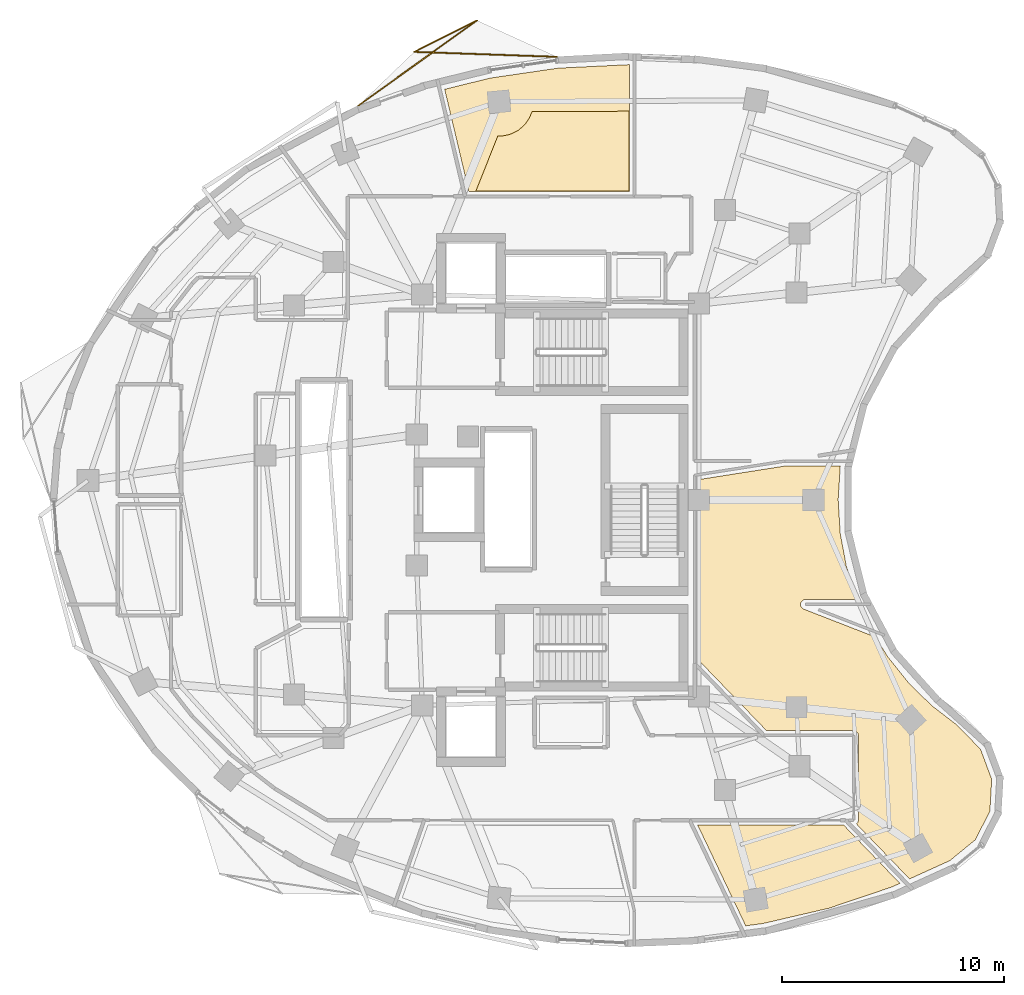
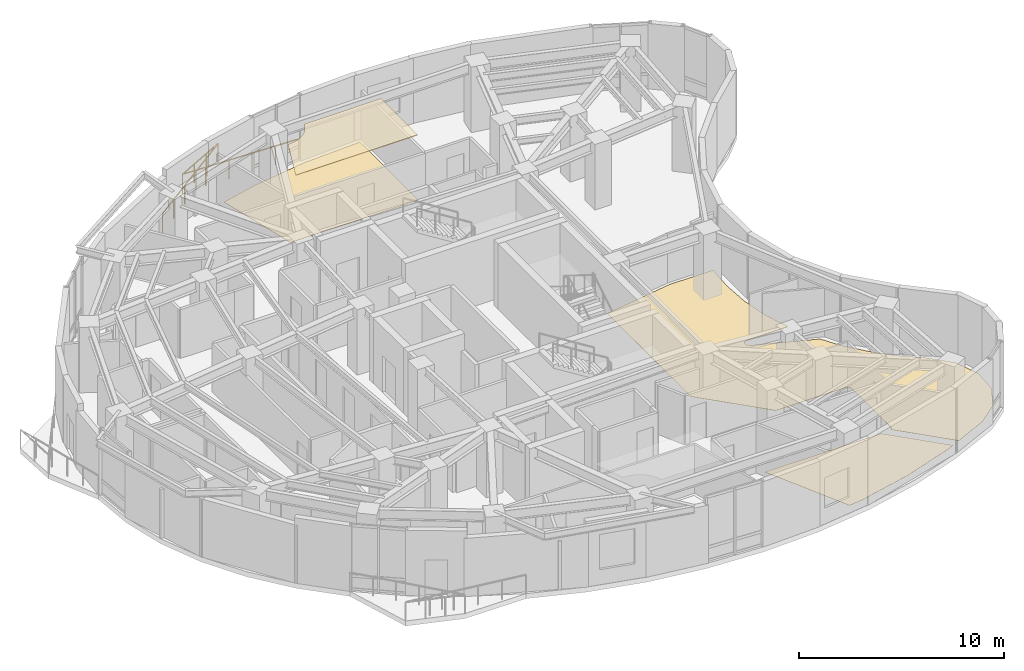
# One storey, part 13 of 13: 4 coverings, 1 railing.
"""IFC4 building model written with IfcOpenShell, lengths in metres."""

from ifc_helpers import new_model, si_unit, direction, frame, origin, origin_2d, place, context, subcontext, project, spatial, polyline, rectangle, outline, extrude, material, layer, layer_set, type_object, element, save


model = new_model("IFC4")

# Units and contexts
model_context = context("Model", 3, precision=1e-05, world=origin(), true_north=direction((0.0, 1.0)))
body_context = subcontext(model_context, "Body", "Model", "MODEL_VIEW")
ifc_project = project(units=[si_unit("LENGTHUNIT", "METRE"), si_unit("AREAUNIT", "SQUARE_METRE"), si_unit("VOLUMEUNIT", "CUBIC_METRE"), si_unit("PLANEANGLEUNIT", "RADIAN"), si_unit("MASSUNIT", "GRAM", prefix="KILO")], contexts=[model_context])

# Site, building, storey
site_placement = place(None, origin())
site = spatial("IfcSite", under=ifc_project, at=site_placement, CompositionType="ELEMENT")
building_placement = place(site_placement, origin())
building = spatial("IfcBuilding", under=site, at=building_placement, Name="Korentha Bioscience Tower", CompositionType="ELEMENT")
storey_placement = place(building_placement, frame((0.0, 0.0, 204.60009765625)))
storey = spatial("IfcBuildingStorey", under=building, at=storey_placement, Name="L47", CompositionType="ELEMENT", Elevation=204.60009765625)

# Railing
ifc_material_1 = material(Name="Laminated Tempered Safety Glass", Category="glass")
railing_type = type_object("IfcRailingType", Name="Laminated Glass Balcony Guardrail 1150", PredefinedType="BALUSTRADE", material=ifc_material_1)
railing_placement = place(storey_placement, frame((31.161865234375, 46.942626953125, 0.0)))
element("IfcRailing", 1, at=railing_placement, inside=storey, type_object=railing_type, Name="L47 Balcony Guardrail 01", PredefinedType="BALUSTRADE", context=body_context, shape_type="SweptSolid", body=[
    extrude(rectangle(XDim=0.048095703125, YDim=0.048095703125, at=origin_2d()), frame((0.0, 0.0, 1.1259765625), z_axis=(-0.99939580551, 0.034756638618, 0.0), x_axis=(-0.034756638618, -0.99939580551, 0.0)), (0.0, 0.0, 1.0), 6.42724609375),
    extrude(rectangle(XDim=0.048095703125, YDim=0.048095703125, at=origin_2d()), frame((-6.42333984375, 0.223388671875, 1.1259765625), z_axis=(0.894427191, 0.4472135955, 0.0), x_axis=(-0.4472135955, 0.894427191, 0.0)), (0.0, 0.0, 1.0), 3.15966796875),
    extrude(rectangle(XDim=0.048095703125, YDim=0.048095703125, at=origin_2d()), frame((-3.59716796875, 1.636474609375, 1.1259765625), z_axis=(-0.812833262164, -0.582496427388, 0.0), x_axis=(0.582496427388, -0.812833262164, 0.0)), (0.0, 0.0, 1.0), 6.5673828125),
    extrude(rectangle(XDim=0.0419921875, YDim=0.0419921875, at=origin_2d()), origin(), (0.0, 0.0, 1.0), 1.101806640625),
    extrude(rectangle(XDim=0.0419921875, YDim=0.0419921875, at=origin_2d()), frame((-1.28466796875, 0.044677734375, 0.0)), (0.0, 0.0, 1.0), 1.101806640625),
    extrude(rectangle(XDim=0.0419921875, YDim=0.0419921875, at=origin_2d()), frame((-2.5693359375, 0.08935546875, 0.0)), (0.0, 0.0, 1.0), 1.101806640625),
    extrude(rectangle(XDim=0.0419921875, YDim=0.0419921875, at=origin_2d()), frame((-3.85400390625, 0.134033203125, 0.0)), (0.0, 0.0, 1.0), 1.101806640625),
    extrude(rectangle(XDim=0.0419921875, YDim=0.0419921875, at=origin_2d()), frame((-5.138671875, 0.1787109375, 0.0)), (0.0, 0.0, 1.0), 1.101806640625),
    extrude(rectangle(XDim=0.0419921875, YDim=0.0419921875, at=origin_2d()), frame((-6.42333984375, 0.223388671875, 0.0)), (0.0, 0.0, 1.0), 1.101806640625),
    extrude(rectangle(XDim=0.0419921875, YDim=0.0419921875, at=origin_2d()), frame((-5.481201171875, 0.6943359375, 0.0)), (0.0, 0.0, 1.0), 1.101806640625),
    extrude(rectangle(XDim=0.0419921875, YDim=0.0419921875, at=origin_2d()), frame((-4.539306640625, 1.16552734375, 0.0)), (0.0, 0.0, 1.0), 1.101806640625),
    extrude(rectangle(XDim=0.0419921875, YDim=0.0419921875, at=origin_2d()), frame((-3.59716796875, 1.636474609375, 0.0)), (0.0, 0.0, 1.0), 1.101806640625),
    extrude(rectangle(XDim=0.0419921875, YDim=0.0419921875, at=origin_2d()), frame((-4.664794921875, 0.871337890625, 0.0)), (0.0, 0.0, 1.0), 1.101806640625),
    extrude(rectangle(XDim=0.0419921875, YDim=0.0419921875, at=origin_2d()), frame((-5.732421875, 0.106201171875, 0.0)), (0.0, 0.0, 1.0), 1.101806640625),
    extrude(rectangle(XDim=0.0419921875, YDim=0.0419921875, at=origin_2d()), frame((-6.800048828125, -0.65869140625, 0.0)), (0.0, 0.0, 1.0), 1.101806640625),
    extrude(rectangle(XDim=0.0419921875, YDim=0.0419921875, at=origin_2d()), frame((-7.86767578125, -1.423828125, 0.0)), (0.0, 0.0, 1.0), 1.101806640625),
    extrude(rectangle(XDim=0.0419921875, YDim=0.0419921875, at=origin_2d()), frame((-8.935302734375, -2.18896484375, 0.0)), (0.0, 0.0, 1.0), 1.101806640625),
])

# Coverings
ifc_material_2 = material(Name="Antimicrobial Mineral Fibre Board", Category="gypsum")
ifc_layer_1 = layer(ifc_material_2, 0.034912109375, Name="Antimicrobial Mineral Fibre Board")
ifc_layer_set_1 = layer_set([ifc_layer_1], Name="Antimicrobial Mineral Fibre Board (CL-MF35)")
covering_type_1 = type_object("IfcCoveringType", Name="Mineral-Fibre Cleanroom Suspended Ceiling 35", PredefinedType="CEILING", material=ifc_layer_set_1)
covering_1_placement = place(storey_placement, frame((0.0, 0.0, 3.864990234375)))
element("IfcCovering", 2, at=covering_1_placement, inside=storey, type_object=covering_type_1, Name="L47 Staff Tea and Espresso Break Lounge 09 Acoustic Ceiling", PredefinedType="CEILING", context=body_context, shape_type="SweptSolid", body=[
    extrude(outline(polyline([(27.515380859375, 40.909912109375), (28.497314453125, 43.376220703125), (28.70556640625, 43.381103515625), (29.003662109375, 43.440185546875), (29.14697265625, 43.491455078125), (29.414794921875, 43.634765625), (29.649658203125, 43.827392578125), (29.751953125, 43.940185546875), (29.920654296875, 44.19287109375), (30.03662109375, 44.47265625), (34.39208984375, 44.49658203125), (34.39208984375, 40.909912109375), (27.515380859375, 40.909912109375)])), origin(), (0.0, 0.0, 1.0), 0.034912109375),
])
ifc_material_3 = material(Name="Chemical-Resistant Epoxy Resin", Category="polymer")
ifc_layer_2 = layer(ifc_material_3, 0.011962890625, Name="Chemical-Resistant Epoxy Resin")
ifc_layer_set_2 = layer_set([ifc_layer_2], Name="Chemical-Resistant Epoxy Resin (FL-EPX)")
covering_type_2 = type_object("IfcCoveringType", Name="Seamless Epoxy Laboratory Flooring 12", PredefinedType="FLOORING", material=ifc_layer_set_2)
covering_2_placement = place(storey_placement, origin())
element("IfcCovering", 3, at=covering_2_placement, inside=storey, type_object=covering_type_2, Name="L47 Solvent and Chemical Weighing Room 05 Floor Finish", PredefinedType="FLOORING", context=body_context, shape_type="SweptSolid", body=[
    extrude(outline(polyline([(37.4921875, 12.3701171875), (44.06298828125, 12.3701171875), (46.59423828125, 9.74560546875), (46.223388671875, 9.5771484375), (43.39453125, 8.623291015625), (40.434814453125, 7.93701171875), (39.65625, 7.832763671875), (37.4921875, 12.3701171875)])), origin(), (0.0, 0.0, 1.0), 0.011962890625),
])
covering_3_placement = place(storey_placement, origin())
element("IfcCovering", 4, at=covering_3_placement, inside=storey, type_object=covering_type_2, Name="L47 Postdoctoral Fellows' Quiet Study 07 Floor Finish", PredefinedType="FLOORING", context=body_context, shape_type="SweptSolid", body=[
    extrude(outline(polyline([(37.587158203125, 19.732666015625), (37.580078125, 27.923828125), (41.4306640625, 28.528076171875), (43.912353515625, 28.528076171875), (43.81640625, 27.017578125), (43.91015625, 25.486572265625), (44.185546875, 24.01220703125), (44.666015625, 22.522216796875), (42.310791015625, 22.51953125), (42.227783203125, 22.489501953125), (42.15087890625, 22.411865234375), (42.121826171875, 22.328125), (42.134033203125, 22.219482421875), (42.1806640625, 22.14453125), (42.262451171875, 22.08935546875), (45.501953125, 20.827880859375), (46.046630859375, 19.944091796875), (46.986083984375, 18.767578125), (48.025390625, 17.746337890625), (49.172607421875, 16.863037109375), (50.22509765625, 15.778564453125), (50.72802734375, 14.427978515625), (50.6455078125, 12.989501953125), (49.9912109375, 11.70556640625), (48.843994140625, 10.767333984375), (47.02880859375, 9.943115234375), (44.64111328125, 12.418701171875), (44.707763671875, 12.501220703125), (44.72998046875, 12.60009765625), (44.72998046875, 16.39990234375), (44.71630859375, 16.477783203125), (44.670166015625, 16.5546875), (44.597900390625, 16.608154296875), (44.5, 16.6298828125), (40.57958984375, 16.6298828125), (37.587158203125, 19.732666015625)])), origin(), (0.0, 0.0, 1.0), 0.011962890625),
])
covering_4_placement = place(storey_placement, origin())
element("IfcCovering", 5, at=covering_4_placement, inside=storey, type_object=covering_type_2, Name="L47 Staff Tea and Espresso Break Lounge 09 Floor Finish", PredefinedType="FLOORING", context=body_context, shape_type="SweptSolid", body=[
    extrude(outline(polyline([(28.174072265625, 45.98974609375), (31.212158203125, 46.4345703125), (34.422119140625, 46.591064453125), (34.422119140625, 40.8798828125), (27.19921875, 40.8798828125), (26.107666015625, 45.4833984375), (28.174072265625, 45.98974609375)])), origin(), (0.0, 0.0, 1.0), 0.011962890625),
])

save(model, "model.ifc")
